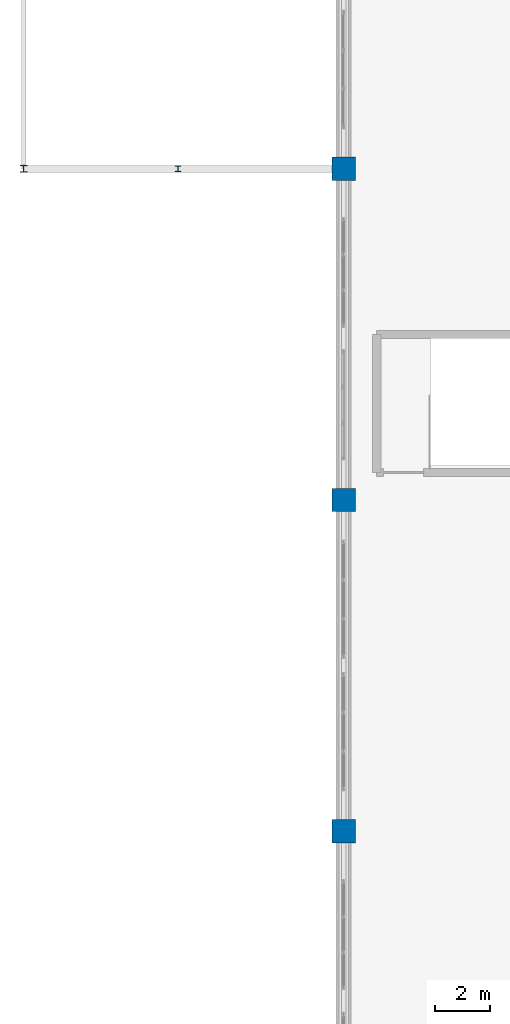
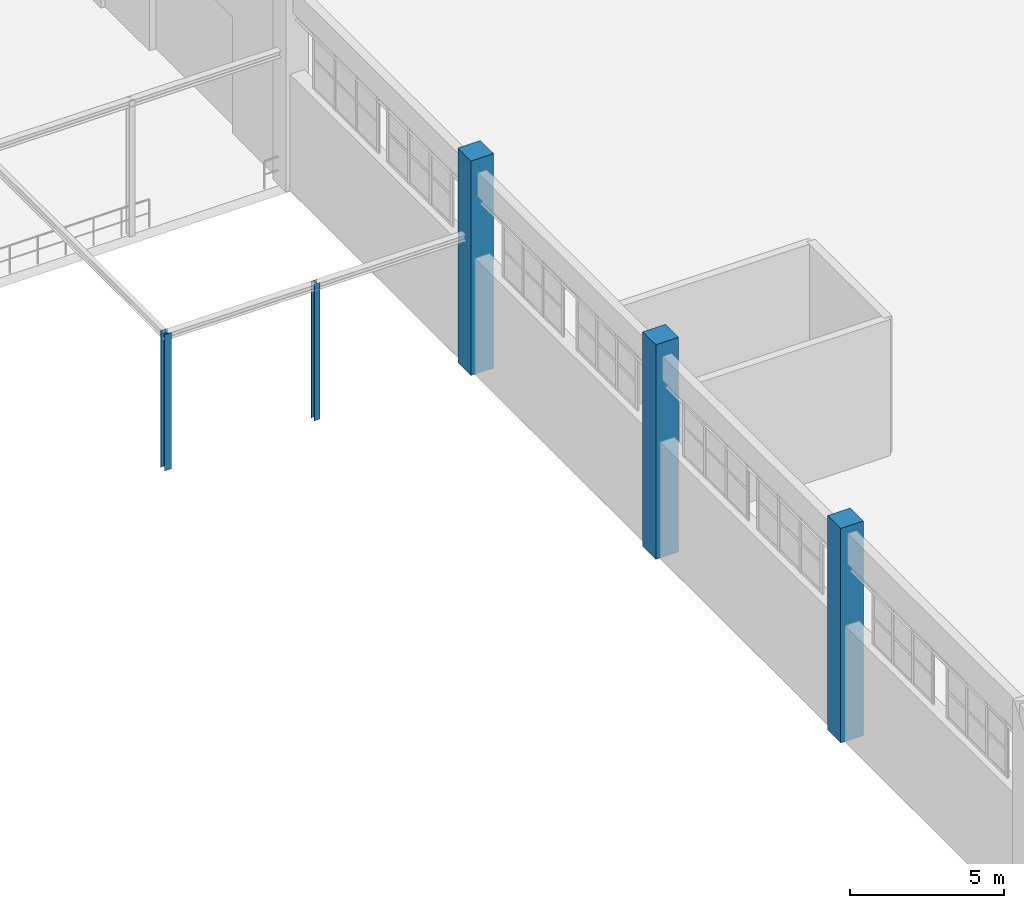
# One storey, part 8 of 97: 5 columns.
"""IFC4 building model written with IfcOpenShell, lengths in metres."""

from ifc_helpers import new_model, si_unit, derived_unit, direction, frame, origin, origin_2d, place, context, subcontext, project, spatial, rectangle, i_section, extrude, material, material_profile, profile_set, type_object, element, save


model = new_model("IFC4")

# Units and contexts
model_context = context("Model", 3, precision=1e-05, world=origin(), true_north=direction((0.0, 1.0)))
body_context = subcontext(model_context, "Body", "Model", "MODEL_VIEW")
ifc_project = project(units=[si_unit("LENGTHUNIT", "METRE"), si_unit("AREAUNIT", "SQUARE_METRE"), si_unit("VOLUMEUNIT", "CUBIC_METRE"), si_unit("PLANEANGLEUNIT", "RADIAN"), si_unit("MASSUNIT", "GRAM", prefix="KILO"), derived_unit("THERMALTRANSMITTANCEUNIT", [(si_unit("POWERUNIT", "WATT"), 1), (si_unit("LENGTHUNIT", "METRE"), -2), (si_unit("THERMODYNAMICTEMPERATUREUNIT", "KELVIN"), -1)])], contexts=[model_context])

# Site, building, storey
site_placement = place(None, origin())
site = spatial("IfcSite", under=ifc_project, at=site_placement, CompositionType="ELEMENT")
building_placement = place(site_placement, origin())
building = spatial("IfcBuilding", under=site, at=building_placement, Name="Almenara Railside Exhibition Hall", CompositionType="ELEMENT")
storey_placement = place(building_placement, frame((0.0, 0.0, 10.800048828125)))
storey = spatial("IfcBuildingStorey", under=building, at=storey_placement, Name="L02", CompositionType="ELEMENT", Elevation=10.800048828125)

# Columns
ifc_material_1 = material(Name="Concrete C40/50", Category="concrete")
ifc_material_profile_1 = material_profile(ifc_material_1, rectangle(XDim=0.85009765625, YDim=0.85009765625, at=origin_2d()), Name="RC 850x850")
ifc_profile_set_1 = profile_set([ifc_material_profile_1], Name="Concrete C40/50")
column_type_1 = type_object("IfcColumnType", Name="RC Column 850x850 C40/50", PredefinedType="COLUMN", material=ifc_profile_set_1)
for number, where, z_axis, x_axis, name in (
    (1, (12.0, 72.0, 0.0), (0.0, 0.0, 1.0), (1.0, 0.0, 0.0), "Column 0025"),
    (2, (12.0, 84.0, 0.0), (0.0, 0.0, 1.0), (1.0, 0.0, 0.0), "Column 0035"),
    (3, (12.0, 96.0, 0.0), (0.0, 0.0, 1.0), (1.0, 0.0, 0.0), "Column 0045"),
):
    element("IfcColumn", number, at=place(storey_placement, frame(where, z_axis=z_axis, x_axis=x_axis)), inside=storey, type_object=column_type_1, Name=name, PredefinedType="COLUMN", context=body_context, shape_type="SweptSolid", body=[
        extrude(rectangle(XDim=0.85009765625, YDim=0.85009765625, at=origin_2d()), origin(), (0.0, 0.0, 1.0), 8.5),
    ])
ifc_material_2 = material(Name="Structural steel S355JR", Category="steel")
ifc_material_profile_2 = material_profile(ifc_material_2, i_section(OverallWidth=0.205810546875, OverallDepth=0.209716796875, WebThickness=0.009521484375, FlangeThickness=0.01416015625, FilletRadius=0.01025390625, at=origin_2d()), Name="UC 203x203x60")
ifc_profile_set_2 = profile_set([ifc_material_profile_2], Name="Structural steel S355JR")
column_type_2 = type_object("IfcColumnType", Name="Steel Column UC 203x203x60 S355JR", PredefinedType="COLUMN", material=ifc_profile_set_2)
column_1_placement = place(storey_placement, frame((6.0, 96.0, 0.0), z_axis=(0.0, 0.0, 1.0), x_axis=(1.0, 0.0, 0.0)))
element("IfcColumn", 4, at=column_1_placement, inside=storey, type_object=column_type_2, Name="Column 0266", PredefinedType="COLUMN", context=body_context, shape_type="SweptSolid", body=[
    extrude(i_section(OverallWidth=0.205810546875, OverallDepth=0.209716796875, WebThickness=0.009521484375, FlangeThickness=0.01416015625, FilletRadius=0.01025390625, at=origin_2d()), origin(), (0.0, 0.0, 1.0), 5.39990234375),
])
ifc_material_profile_3 = material_profile(ifc_material_2, i_section(OverallWidth=0.25634765625, OverallDepth=0.26025390625, WebThickness=0.01025390625, FlangeThickness=0.017333984375, FilletRadius=0.0126953125, at=origin_2d()), Name="UC 254x254x89")
ifc_profile_set_3 = profile_set([ifc_material_profile_3], Name="Structural steel S355JR")
column_type_3 = type_object("IfcColumnType", Name="Steel Column UC 254x254x89 S355JR", PredefinedType="COLUMN", material=ifc_profile_set_3)
column_2_placement = place(storey_placement, frame((0.39990234375, 96.0, 0.0), z_axis=(0.0, 0.0, 1.0), x_axis=(1.0, 0.0, 0.0)))
element("IfcColumn", 5, at=column_2_placement, inside=storey, type_object=column_type_3, Name="Column 0263", PredefinedType="COLUMN", context=body_context, shape_type="SweptSolid", body=[
    extrude(i_section(OverallWidth=0.25634765625, OverallDepth=0.26025390625, WebThickness=0.01025390625, FlangeThickness=0.017333984375, FilletRadius=0.0126953125, at=origin_2d()), origin(), (0.0, 0.0, 1.0), 5.39990234375),
])

save(model, "model.ifc")
